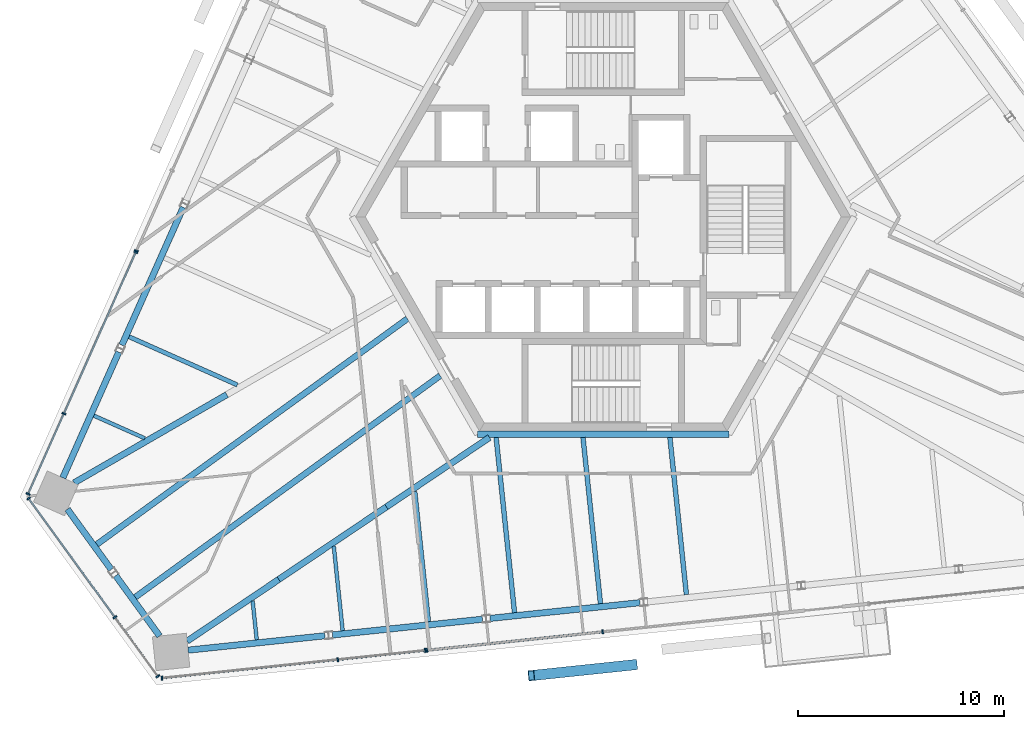
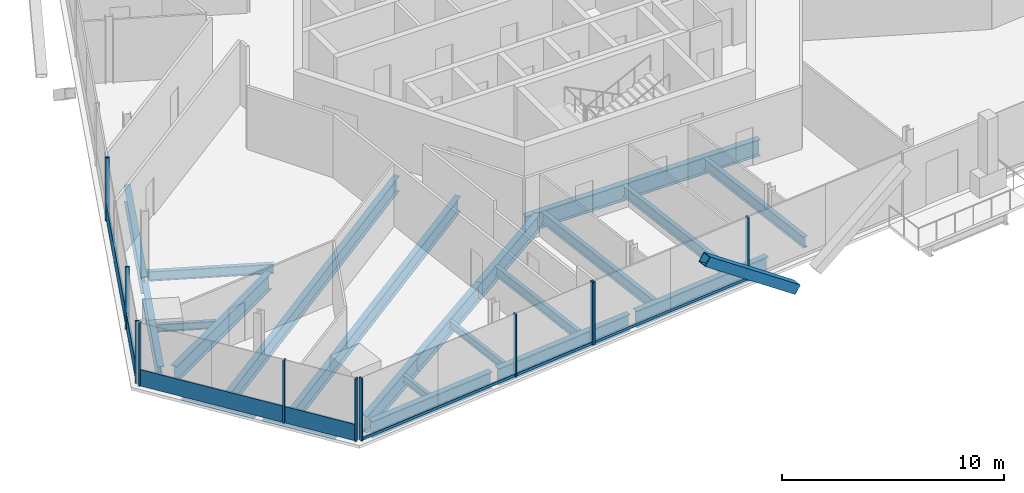
# One storey, part 4 of 18: 22 beams, 20 members, 5 elements without a shape of their own.
"""IFC4 building model written with IfcOpenShell, lengths in metres."""

from ifc_helpers import new_model, si_unit, direction, frame, origin, origin_2d, place, context, subcontext, project, spatial, rectangle, hollow_rectangle, i_section, extrude, source, transform, mapped, material, material_profile, profile_set, type_object, element, aggregate, save


model = new_model("IFC4")

# Units and contexts
model_context = context("Model", 3, precision=1e-05, world=origin(), true_north=direction((0.0, 1.0)))
body_context = subcontext(model_context, "Body", "Model", "MODEL_VIEW")
ifc_project = project(units=[si_unit("LENGTHUNIT", "METRE"), si_unit("AREAUNIT", "SQUARE_METRE"), si_unit("VOLUMEUNIT", "CUBIC_METRE"), si_unit("PLANEANGLEUNIT", "RADIAN"), si_unit("MASSUNIT", "GRAM", prefix="KILO")], contexts=[model_context])

# Site, building, storey
site_placement = place(None, origin())
site = spatial("IfcSite", under=ifc_project, at=site_placement, CompositionType="ELEMENT")
building_placement = place(site_placement, origin())
building = spatial("IfcBuilding", under=site, at=building_placement, Name="Triune Harvest Tower", CompositionType="ELEMENT")
storey_placement = place(building_placement, frame((0.0, 0.0, 237.699951171875)))
storey = spatial("IfcBuildingStorey", under=building, at=storey_placement, Name="L62", CompositionType="ELEMENT", Elevation=237.699951171875)

# Beams
ifc_material_1 = material(Name="Steel ASTM A992 Gr 50", Category="steel")
ifc_material_profile_1 = material_profile(ifc_material_1, i_section(OverallWidth=0.3046875, OverallDepth=0.914306640625, WebThickness=0.0166015625, FlangeThickness=0.02587890625, at=origin_2d()), Name="W36x160")
ifc_profile_set_1 = profile_set([ifc_material_profile_1], Name="Steel ASTM A992 Gr 50")
beam_type_1 = type_object("IfcBeamType", Name="CG-1 Core ring girder W36x160", PredefinedType="BEAM", material=ifc_profile_set_1)
shared_shape_1 = source(origin(), body_context, "Body", "SweptSolid", [
    extrude(i_section(OverallWidth=0.3046875, OverallDepth=0.914306640625, WebThickness=0.0166015625, FlangeThickness=0.02587890625, at=origin_2d()), origin(), (0.0, 0.0, 1.0), 12.17578125),
])
beam_1_placement = place(storey_placement, frame((-6.087890625, -10.544677734375, -0.6171875), z_axis=(1.0, 0.0, 0.0), x_axis=(0.0, 1.0, 0.0)))
element("IfcBeam", 1, at=beam_1_placement, inside=storey, type_object=beam_type_1, Name="beam/L62/CG5", PredefinedType="BEAM", context=body_context, shape_type="MappedRepresentation", body=[
    mapped(shared_shape_1, transform((0.0, 0.0, 0.0), scale=1.0)),
])
ifc_material_2 = material(Name="Steel ASTM A992 Gr 50", Category="steel")
ifc_material_profile_2 = material_profile(ifc_material_2, i_section(OverallWidth=0.3046875, OverallDepth=0.914306640625, WebThickness=0.0166015625, FlangeThickness=0.02587890625, at=origin_2d()), Name="W36x160")
ifc_profile_set_2 = profile_set([ifc_material_profile_2], Name="Steel ASTM A992 Gr 50")
beam_type_2 = type_object("IfcBeamType", Name="HG-3 Hip girder W36x160", PredefinedType="BEAM", material=ifc_profile_set_2)
shared_shape_2 = source(origin(), body_context, "Body", "SweptSolid", [
    extrude(i_section(OverallWidth=0.3046875, OverallDepth=0.914306640625, WebThickness=0.0166015625, FlangeThickness=0.02587890625, at=origin_2d()), origin(), (0.0, 0.0, 1.0), 6.293701171875),
])
beam_2_placement = place(storey_placement, frame((-15.72802734375, -17.576904296875, -0.6171875), z_axis=(0.829391075311, 0.558668456416, 0.0), x_axis=(-0.558668456416, 0.829391075311, 0.0)))
element("IfcBeam", 2, at=beam_2_placement, inside=storey, type_object=beam_type_2, Name="beam/L62/HG8", PredefinedType="BEAM", context=body_context, shape_type="MappedRepresentation", body=[
    mapped(shared_shape_2, transform((0.0, 0.0, 0.0), scale=1.0)),
])
shared_shape_3 = source(origin(), body_context, "Body", "SweptSolid", [
    extrude(i_section(OverallWidth=0.3046875, OverallDepth=0.914306640625, WebThickness=0.0166015625, FlangeThickness=0.02587890625, at=origin_2d()), origin(), (0.0, 0.0, 1.0), 6.02099609375),
])
beam_3_placement = place(storey_placement, frame((-10.508056640625, -14.060791015625, -0.6171875), z_axis=(0.829383245618, 0.558680080088, 0.0), x_axis=(-0.558680080088, 0.829383245618, 0.0)))
element("IfcBeam", 3, at=beam_3_placement, inside=storey, type_object=beam_type_2, Name="beam/L62/HG9", PredefinedType="BEAM", context=body_context, shape_type="MappedRepresentation", body=[
    mapped(shared_shape_3, transform((0.0, 0.0, 0.0), scale=1.0)),
])
ifc_material_3 = material(Name="Steel ASTM A992 Gr 50", Category="steel")
ifc_material_profile_3 = material_profile(ifc_material_3, i_section(OverallWidth=0.3046875, OverallDepth=0.914306640625, WebThickness=0.0166015625, FlangeThickness=0.02587890625, at=origin_2d()), Name="W36x160")
ifc_profile_set_3 = profile_set([ifc_material_profile_3], Name="Steel ASTM A992 Gr 50")
beam_type_3 = type_object("IfcBeamType", Name="SB-1 Spandrel beam W36x160", PredefinedType="SPANDREL", material=ifc_profile_set_3)
shared_shape_4 = source(origin(), body_context, "Body", "SweptSolid", [
    extrude(i_section(OverallWidth=0.3046875, OverallDepth=0.914306640625, WebThickness=0.0166015625, FlangeThickness=0.02587890625, at=origin_2d()), origin(), (0.0, 0.0, 1.0), 6.67041015625),
])
beam_4_placement = place(storey_placement, frame((-20.127685546875, -21.007080078125, -0.6171875), z_axis=(0.994521485501, 0.104532362822, 0.0), x_axis=(-0.104532362822, 0.994521485501, 0.0)))
element("IfcBeam", 4, at=beam_4_placement, inside=storey, type_object=beam_type_3, Name="beam/L62/SB17", PredefinedType="SPANDREL", context=body_context, shape_type="MappedRepresentation", body=[
    mapped(shared_shape_4, transform((0.0, 0.0, 0.0), scale=1.0)),
])
shared_shape_5 = source(origin(), body_context, "Body", "SweptSolid", [
    extrude(i_section(OverallWidth=0.3046875, OverallDepth=0.914306640625, WebThickness=0.0166015625, FlangeThickness=0.02587890625, at=origin_2d()), origin(), (0.0, 0.0, 1.0), 7.31103515625),
])
beam_5_placement = place(storey_placement, frame((-13.127685546875, -20.271240234375, -0.6171875), z_axis=(0.994522639393, 0.104521384101, 0.0), x_axis=(-0.104521384101, 0.994522639393, 0.0)))
element("IfcBeam", 5, at=beam_5_placement, inside=storey, type_object=beam_type_3, Name="beam/L62/SB18", PredefinedType="SPANDREL", context=body_context, shape_type="MappedRepresentation", body=[
    mapped(shared_shape_5, transform((0.0, 0.0, 0.0), scale=1.0)),
])
shared_shape_6 = source(origin(), body_context, "Body", "SweptSolid", [
    extrude(i_section(OverallWidth=0.3046875, OverallDepth=0.914306640625, WebThickness=0.0166015625, FlangeThickness=0.02587890625, at=origin_2d()), origin(), (0.0, 0.0, 1.0), 3.614990234375),
])
for number, where, z_axis, x_axis, name in (
    (6, (-25.974365234375, -14.175537109375, -0.6171875), (0.587818273033, -0.808993002373, 0.0), (0.808993002373, 0.587818273033, 0.0), "beam/L62/SB15"),
    (7, (-23.633056640625, -17.39794921875, -0.6171875), (0.587818273033, -0.808993002373, 0.0), (0.808993002373, 0.587818273033, 0.0), "beam/L62/SB16"),
):
    element("IfcBeam", number, at=place(storey_placement, frame(where, z_axis=z_axis, x_axis=x_axis)), inside=storey, type_object=beam_type_3, Name=name, PredefinedType="SPANDREL", context=body_context, shape_type="MappedRepresentation", body=[
        mapped(shared_shape_6, transform((0.0, 0.0, 0.0), scale=1.0)),
    ])
shared_shape_7 = source(origin(), body_context, "Body", "SweptSolid", [
    extrude(i_section(OverallWidth=0.3046875, OverallDepth=0.914306640625, WebThickness=0.0166015625, FlangeThickness=0.02587890625, at=origin_2d()), origin(), (0.0, 0.0, 1.0), 6.670166015625),
])
beam_6_placement = place(storey_placement, frame((-23.485595703125, -6.5576171875, -0.6171875), z_axis=(-0.406722507275, -0.913551751176, 0.0), x_axis=(0.913551751176, -0.406722507275, 0.0)))
element("IfcBeam", 8, at=beam_6_placement, inside=storey, type_object=beam_type_3, Name="beam/L62/SB14", PredefinedType="SPANDREL", context=body_context, shape_type="MappedRepresentation", body=[
    mapped(shared_shape_7, transform((0.0, 0.0, 0.0), scale=1.0)),
])
shared_shape_8 = source(origin(), body_context, "Body", "SweptSolid", [
    extrude(i_section(OverallWidth=0.3046875, OverallDepth=0.914306640625, WebThickness=0.0166015625, FlangeThickness=0.02587890625, at=origin_2d()), origin(), (0.0, 0.0, 1.0), 7.311279296875),
])
for number, where, z_axis, x_axis, name in (
    (9, (-20.362060546875, 0.4580078125, -0.6171875), (-0.406720859208, -0.91355248491, 0.0), (0.91355248491, -0.406720859208, 0.0), "beam/L62/SB13"),
    (10, (-5.490478515625, -19.468505859375, -0.6171875), (0.994519532674, 0.104550940362, 0.0), (-0.104550940362, 0.994519532674, 0.0), "beam/L62/SB19"),
):
    element("IfcBeam", number, at=place(storey_placement, frame(where, z_axis=z_axis, x_axis=x_axis)), inside=storey, type_object=beam_type_3, Name=name, PredefinedType="SPANDREL", context=body_context, shape_type="MappedRepresentation", body=[
        mapped(shared_shape_8, transform((0.0, 0.0, 0.0), scale=1.0)),
    ])
shared_shape_9 = source(origin(), body_context, "Body", "SweptSolid", [
    extrude(i_section(OverallWidth=0.3046875, OverallDepth=0.914306640625, WebThickness=0.0166015625, FlangeThickness=0.02587890625, at=origin_2d()), origin(), (0.0, 0.0, 1.0), 8.548583984375),
])
beam_7_placement = place(storey_placement, frame((-25.651123046875, -12.89501953125, -0.6171875), z_axis=(0.866020080793, 0.500009219579, 0.0), x_axis=(-0.500009219579, 0.866020080793, 0.0)))
element("IfcBeam", 11, at=beam_7_placement, inside=storey, type_object=beam_type_2, Name="beam/L62/HG5", PredefinedType="BEAM", context=body_context, shape_type="MappedRepresentation", body=[
    mapped(shared_shape_9, transform((0.0, 0.0, 0.0), scale=1.0)),
])
shared_shape_10 = source(origin(), body_context, "Body", "SweptSolid", [
    extrude(i_section(OverallWidth=0.3046875, OverallDepth=0.914306640625, WebThickness=0.0166015625, FlangeThickness=0.02587890625, at=origin_2d()), origin(), (0.0, 0.0, 1.0), 5.35986328125),
])
beam_8_placement = place(storey_placement, frame((-20.173583984375, -20.5712890625, -0.6171875), z_axis=(0.829399024376, 0.558656655169, 0.0), x_axis=(-0.558656655169, 0.829399024376, 0.0)))
element("IfcBeam", 12, at=beam_8_placement, inside=storey, type_object=beam_type_2, Name="beam/L62/HG7", PredefinedType="BEAM", context=body_context, shape_type="MappedRepresentation", body=[
    mapped(shared_shape_10, transform((0.0, 0.0, 0.0), scale=1.0)),
])
ifc_material_4 = material(Name="Steel ASTM A992 Gr 50", Category="steel")
ifc_material_profile_4 = material_profile(ifc_material_4, i_section(OverallWidth=0.2099609375, OverallDepth=0.535888671875, WebThickness=0.010986328125, FlangeThickness=0.017333984375, at=origin_2d()), Name="W21x68")
ifc_profile_set_4 = profile_set([ifc_material_profile_4], Name="Steel ASTM A992 Gr 50")
beam_type_4 = type_object("IfcBeamType", Name="JT-2 Floor joist W21x68", PredefinedType="JOIST", material=ifc_profile_set_4)
shared_shape_11 = source(origin(), body_context, "Body", "SweptSolid", [
    extrude(i_section(OverallWidth=0.2099609375, OverallDepth=0.535888671875, WebThickness=0.010986328125, FlangeThickness=0.017333984375, at=origin_2d()), origin(), (0.0, 0.0, 1.0), 6.346435546875),
])
beam_9_placement = place(storey_placement, frame((-8.466552734375, -19.628173828125, -0.427978515625), z_axis=(-0.104518578592, 0.99452293424, 0.0), x_axis=(-0.99452293424, -0.104518578592, 0.0)))
element("IfcBeam", 13, at=beam_9_placement, inside=storey, type_object=beam_type_4, Name="beam/L62/JT27", PredefinedType="JOIST", context=body_context, shape_type="MappedRepresentation", body=[
    mapped(shared_shape_11, transform((0.0, 0.0, 0.0), scale=1.0)),
])
ifc_material_5 = material(Name="Steel ASTM A992 Gr 50", Category="steel")
ifc_material_profile_5 = material_profile(ifc_material_5, i_section(OverallWidth=0.22900390625, OverallDepth=0.612060546875, WebThickness=0.011962890625, FlangeThickness=0.01953125, at=origin_2d()), Name="W24x84")
ifc_profile_set_5 = profile_set([ifc_material_profile_5], Name="Steel ASTM A992 Gr 50")
beam_type_5 = type_object("IfcBeamType", Name="JT-3 Floor joist W24x84", PredefinedType="JOIST", material=ifc_profile_set_5)
shared_shape_12 = source(origin(), body_context, "Body", "SweptSolid", [
    extrude(i_section(OverallWidth=0.22900390625, OverallDepth=0.612060546875, WebThickness=0.011962890625, FlangeThickness=0.01953125, at=origin_2d()), origin(), (0.0, 0.0, 1.0), 8.099609375),
])
beam_10_placement = place(storey_placement, frame((-0.135009765625, -18.752197265625, -0.466064453125), z_axis=(-0.104534153452, 0.994521297289, 0.0), x_axis=(-0.994521297289, -0.104534153452, 0.0)))
element("IfcBeam", 14, at=beam_10_placement, inside=storey, type_object=beam_type_5, Name="beam/L62/JT29", PredefinedType="JOIST", context=body_context, shape_type="MappedRepresentation", body=[
    mapped(shared_shape_12, transform((0.0, 0.0, 0.0), scale=1.0)),
])
shared_shape_13 = source(origin(), body_context, "Body", "SweptSolid", [
    extrude(i_section(OverallWidth=0.22900390625, OverallDepth=0.612060546875, WebThickness=0.011962890625, FlangeThickness=0.01953125, at=origin_2d()), origin(), (0.0, 0.0, 1.0), 7.659423828125),
])
beam_11_placement = place(storey_placement, frame((4.031005859375, -18.314453125, -0.466064453125), z_axis=(-0.104548726976, 0.994519765358, 0.0), x_axis=(-0.994519765358, -0.104548726976, 0.0)))
element("IfcBeam", 15, at=beam_11_placement, inside=storey, type_object=beam_type_5, Name="beam/L62/JT30", PredefinedType="JOIST", context=body_context, shape_type="MappedRepresentation", body=[
    mapped(shared_shape_13, transform((0.0, 0.0, 0.0), scale=1.0)),
])
shared_shape_14 = source(origin(), body_context, "Body", "SweptSolid", [
    extrude(i_section(OverallWidth=0.2099609375, OverallDepth=0.535888671875, WebThickness=0.010986328125, FlangeThickness=0.017333984375, at=origin_2d()), origin(), (0.0, 0.0, 1.0), 5.745849609375),
])
beam_12_placement = place(storey_placement, frame((-22.987548828125, -5.8134765625, -0.427978515625), z_axis=(0.913552037091, -0.406721865071, 0.0), x_axis=(0.406721865071, 0.913552037091, 0.0)))
element("IfcBeam", 16, at=beam_12_placement, inside=storey, type_object=beam_type_4, Name="beam/L62/JT21", PredefinedType="JOIST", context=body_context, shape_type="MappedRepresentation", body=[
    mapped(shared_shape_14, transform((0.0, 0.0, 0.0), scale=1.0)),
])
ifc_material_6 = material(Name="Steel ASTM A992 Gr 50", Category="steel")
ifc_material_profile_6 = material_profile(ifc_material_6, i_section(OverallWidth=0.2919921875, OverallDepth=0.8408203125, WebThickness=0.0146484375, FlangeThickness=0.021728515625, at=origin_2d()), Name="W33x130")
ifc_profile_set_6 = profile_set([ifc_material_profile_6], Name="Steel ASTM A992 Gr 50")
beam_type_6 = type_object("IfcBeamType", Name="JT-6 Floor joist W33x130", PredefinedType="JOIST", material=ifc_profile_set_6)
shared_shape_15 = source(origin(), body_context, "Body", "SweptSolid", [
    extrude(i_section(OverallWidth=0.2919921875, OverallDepth=0.8408203125, WebThickness=0.0146484375, FlangeThickness=0.021728515625, at=origin_2d()), origin(), (0.0, 0.0, 1.0), 18.27099609375),
])
beam_13_placement = place(storey_placement, frame((-22.68701171875, -18.44091796875, -0.580322265625), z_axis=(0.809013927609, 0.587789473311, 0.0), x_axis=(-0.587789473311, 0.809013927609, 0.0)))
element("IfcBeam", 17, at=beam_13_placement, inside=storey, type_object=beam_type_6, Name="beam/L62/JT24", PredefinedType="JOIST", context=body_context, shape_type="MappedRepresentation", body=[
    mapped(shared_shape_15, transform((0.0, 0.0, 0.0), scale=1.0)),
])
ifc_material_7 = material(Name="Steel ASTM A992 Gr 50", Category="steel")
ifc_material_profile_7 = material_profile(ifc_material_7, i_section(OverallWidth=0.180908203125, OverallDepth=0.41650390625, WebThickness=0.010986328125, FlangeThickness=0.01806640625, at=origin_2d()), Name="W16x57")
ifc_profile_set_7 = profile_set([ifc_material_profile_7], Name="Steel ASTM A992 Gr 50")
beam_type_7 = type_object("IfcBeamType", Name="JT-1 Floor joist W16x57", PredefinedType="JOIST", material=ifc_profile_set_7)
shared_shape_16 = source(origin(), body_context, "Body", "SweptSolid", [
    extrude(i_section(OverallWidth=0.180908203125, OverallDepth=0.41650390625, WebThickness=0.010986328125, FlangeThickness=0.01806640625, at=origin_2d()), origin(), (0.0, 0.0, 1.0), 1.899169921875),
])
beam_14_placement = place(storey_placement, frame((-16.79833984375, -20.50390625, -0.3681640625), z_axis=(-0.104517481806, 0.994523049505, 0.0), x_axis=(-0.994523049505, -0.104517481806, 0.0)))
element("IfcBeam", 18, at=beam_14_placement, inside=storey, type_object=beam_type_7, Name="beam/L62/JT25", PredefinedType="JOIST", context=body_context, shape_type="MappedRepresentation", body=[
    mapped(shared_shape_16, transform((0.0, 0.0, 0.0), scale=1.0)),
])
shared_shape_17 = source(origin(), body_context, "Body", "SweptSolid", [
    extrude(i_section(OverallWidth=0.180908203125, OverallDepth=0.41650390625, WebThickness=0.010986328125, FlangeThickness=0.01806640625, at=origin_2d()), origin(), (0.0, 0.0, 1.0), 4.12255859375),
])
beam_15_placement = place(storey_placement, frame((-12.632568359375, -20.06591796875, -0.3681640625), z_axis=(-0.104521403768, 0.994522637326, 0.0), x_axis=(-0.994522637326, -0.104521403768, 0.0)))
element("IfcBeam", 19, at=beam_15_placement, inside=storey, type_object=beam_type_7, Name="beam/L62/JT26", PredefinedType="JOIST", context=body_context, shape_type="MappedRepresentation", body=[
    mapped(shared_shape_17, transform((0.0, 0.0, 0.0), scale=1.0)),
])
shared_shape_18 = source(origin(), body_context, "Body", "SweptSolid", [
    extrude(i_section(OverallWidth=0.180908203125, OverallDepth=0.41650390625, WebThickness=0.010986328125, FlangeThickness=0.01806640625, at=origin_2d()), origin(), (0.0, 0.0, 1.0), 2.702392578125),
])
beam_16_placement = place(storey_placement, frame((-24.691162109375, -9.64013671875, -0.3681640625), z_axis=(0.913550575703, -0.406725147529, 0.0), x_axis=(0.406725147529, 0.913550575703, 0.0)))
element("IfcBeam", 20, at=beam_16_placement, inside=storey, type_object=beam_type_7, Name="beam/L62/JT22", PredefinedType="JOIST", context=body_context, shape_type="MappedRepresentation", body=[
    mapped(shared_shape_18, transform((0.0, 0.0, 0.0), scale=1.0)),
])
shared_shape_19 = source(origin(), body_context, "Body", "SweptSolid", [
    extrude(i_section(OverallWidth=0.2919921875, OverallDepth=0.8408203125, WebThickness=0.0146484375, FlangeThickness=0.021728515625, at=origin_2d()), origin(), (0.0, 0.0, 1.0), 18.603515625),
])
beam_17_placement = place(storey_placement, frame((-24.548828125, -15.8779296875, -0.580322265625), z_axis=(0.809011797406, 0.58779240524, 0.0), x_axis=(-0.58779240524, 0.809011797406, 0.0)))
element("IfcBeam", 21, at=beam_17_placement, inside=storey, type_object=beam_type_6, Name="beam/L62/JT23", PredefinedType="JOIST", context=body_context, shape_type="MappedRepresentation", body=[
    mapped(shared_shape_19, transform((0.0, 0.0, 0.0), scale=1.0)),
])
shared_shape_20 = source(origin(), body_context, "Body", "SweptSolid", [
    extrude(i_section(OverallWidth=0.22900390625, OverallDepth=0.612060546875, WebThickness=0.011962890625, FlangeThickness=0.01953125, at=origin_2d()), origin(), (0.0, 0.0, 1.0), 8.5400390625),
])
beam_18_placement = place(storey_placement, frame((-4.30078125, -19.190185546875, -0.466064453125), z_axis=(-0.104546386162, 0.994520011433, 0.0), x_axis=(-0.994520011433, -0.104546386162, 0.0)))
element("IfcBeam", 22, at=beam_18_placement, inside=storey, type_object=beam_type_5, Name="beam/L62/JT28", PredefinedType="JOIST", context=body_context, shape_type="MappedRepresentation", body=[
    mapped(shared_shape_20, transform((0.0, 0.0, 0.0), scale=1.0)),
])

# Member
ifc_material_8 = material(Name="Steel ASTM A572 Gr 50", Category="steel")
ifc_material_profile_8 = material_profile(ifc_material_8, hollow_rectangle(XDim=0.5, YDim=0.5, WallThickness=0.030029296875, at=origin_2d()), Name="Box 500x500x30")
ifc_profile_set_8 = profile_set([ifc_material_profile_8], Name="Steel ASTM A572 Gr 50")
member_type_1 = type_object("IfcMemberType", Name="BR-3 Brace Box 500x500x30", PredefinedType="BRACE", material=ifc_profile_set_8)
shared_shape_21 = source(origin(), body_context, "Body", "SweptSolid", [
    extrude(hollow_rectangle(XDim=0.5, YDim=0.5, WallThickness=0.030029296875, at=origin_2d()), origin(), (0.0, 0.0, 1.0), 6.171142578125),
])
member_1_placement = place(storey_placement, frame((1.49609375, -21.716064453125, 0.0), z_axis=(-0.807744891482, -0.084900844253, 0.58338669588), x_axis=(0.104532646515, -0.994521455682, 0.0)))
element("IfcMember", 23, at=member_1_placement, inside=storey, type_object=member_type_1, Name="brace/B6-F5/d2/6", PredefinedType="BRACE", context=body_context, shape_type="MappedRepresentation", body=[
    mapped(shared_shape_21, transform((0.0, 0.0, 0.0), scale=1.0)),
])

# Curtain wall, member
ifc_material_9 = material(Name="Aluminium bronze anodised", Category="aluminium")
curtain_wall_type_1 = type_object("IfcCurtainWallType", Name="CW-7 Tower stick curtain wall with insulated spandrel infill", PredefinedType="NOTDEFINED", material=ifc_material_9)
curtain_wall_1_placement = place(storey_placement, origin())
curtain_wall_1 = element("IfcCurtainWall", 24, at=curtain_wall_1_placement, inside=storey, type_object=curtain_wall_type_1, Name="CW-7 B6-F3 L62 run 1001")
ifc_material_10 = material(Name="Aluminium bronze anodised", Category="aluminium")
ifc_material_profile_9 = material_profile(ifc_material_10, rectangle(XDim=0.199951171875, YDim=0.074951171875, at=origin_2d()), Name="MU-1 mullion 75 x 200")
ifc_profile_set_9 = profile_set([ifc_material_profile_9], Name="Aluminium bronze anodised")
member_type_2 = type_object("IfcMemberType", Name="MU-1 mullion 75 x 200", PredefinedType="MULLION", material=ifc_profile_set_9)
shared_shape_22 = source(origin(), body_context, "Body", "SweptSolid", [
    extrude(rectangle(XDim=0.199951171875, YDim=0.074951171875, at=origin_2d()), origin(), (0.0, 0.0, 1.0), 3.43994140625),
])
member_2_placement = place(storey_placement, frame((-22.63134765625, -1.650146484375, 0.0), z_axis=(0.0, 0.0, 1.0), x_axis=(0.913543213981, -0.406741682385, 0.0)))
member_2 = element("IfcMember", 25, at=member_2_placement, type_object=member_type_2, Name="CW-7 mullion B6-F3 1001.6", PredefinedType="MULLION", context=body_context, shape_type="MappedRepresentation", body=[
    mapped(shared_shape_22, transform((0.0, 0.0, 0.0), scale=1.0)),
])
aggregate(curtain_wall_1, [member_2])

# Curtain wall, members
ifc_material_11 = material(Name="Aluminium bronze anodised", Category="aluminium")
curtain_wall_type_2 = type_object("IfcCurtainWallType", Name="CW-1 Tower stick curtain wall", PredefinedType="NOTDEFINED", material=ifc_material_11)
curtain_wall_2_placement = place(storey_placement, origin())
curtain_wall_2 = element("IfcCurtainWall", 26, at=curtain_wall_2_placement, inside=storey, type_object=curtain_wall_type_2, Name="CW-1 B6-F3 L62 run 2001")
member_3_placement = place(storey_placement, frame((-22.661865234375, -1.71875, 0.0), z_axis=(0.0, 0.0, 1.0), x_axis=(0.913546291384, -0.406734770456, 0.0)))
member_3 = element("IfcMember", 27, at=member_3_placement, type_object=member_type_2, Name="CW-1 mullion B6-F3 2001.1", PredefinedType="MULLION", context=body_context, shape_type="MappedRepresentation", body=[
    mapped(shared_shape_22, transform((0.0, 0.0, 0.0), scale=1.0)),
])
member_4_placement = place(storey_placement, frame((-26.14453125, -9.541015625, 0.0), z_axis=(0.0, 0.0, 1.0), x_axis=(0.913546291384, -0.406734770456, 0.0)))
member_4 = element("IfcMember", 28, at=member_4_placement, type_object=member_type_2, Name="CW-1 mullion B6-F3 2001.3", PredefinedType="MULLION", context=body_context, shape_type="MappedRepresentation", body=[
    mapped(shared_shape_22, transform((0.0, 0.0, 0.0), scale=1.0)),
])
member_5_placement = place(storey_placement, frame((-27.878173828125, -13.43505859375, 0.0), z_axis=(0.0, 0.0, 1.0), x_axis=(0.913546291384, -0.406734770456, 0.0)))
member_5 = element("IfcMember", 29, at=member_5_placement, type_object=member_type_2, Name="CW-1 mullion B6-F3 2001.4", PredefinedType="MULLION", context=body_context, shape_type="MappedRepresentation", body=[
    mapped(shared_shape_22, transform((0.0, 0.0, 0.0), scale=1.0)),
])

curtain_wall_3_placement = place(storey_placement, origin())
curtain_wall_3 = element("IfcCurtainWall", 30, at=curtain_wall_3_placement, inside=storey, type_object=curtain_wall_type_2, Name="CW-1 B6-F4 L62 run 1")
member_6_placement = place(storey_placement, frame((-27.855224609375, -13.654541015625, 0.0), z_axis=(0.0, 0.0, 1.0), x_axis=(0.809014317982, 0.587788936013, 0.0)))
member_6 = element("IfcMember", 31, at=member_6_placement, type_object=member_type_2, Name="CW-1 mullion B6-F4 1.1", PredefinedType="MULLION", context=body_context, shape_type="MappedRepresentation", body=[
    mapped(shared_shape_22, transform((0.0, 0.0, 0.0), scale=1.0)),
])
member_7_placement = place(storey_placement, frame((-23.673828125, -19.409912109375, 0.0), z_axis=(0.0, 0.0, 1.0), x_axis=(0.809014317982, 0.587788936013, 0.0)))
member_7 = element("IfcMember", 32, at=member_7_placement, type_object=member_type_2, Name="CW-1 mullion B6-F4 1.3", PredefinedType="MULLION", context=body_context, shape_type="MappedRepresentation", body=[
    mapped(shared_shape_22, transform((0.0, 0.0, 0.0), scale=1.0)),
])
member_8_placement = place(storey_placement, frame((-21.593994140625, -22.272216796875, 0.0), z_axis=(0.0, 0.0, 1.0), x_axis=(0.809014317982, 0.587788936013, 0.0)))
member_8 = element("IfcMember", 33, at=member_8_placement, type_object=member_type_2, Name="CW-1 mullion B6-F4 1.4", PredefinedType="MULLION", context=body_context, shape_type="MappedRepresentation", body=[
    mapped(shared_shape_22, transform((0.0, 0.0, 0.0), scale=1.0)),
])

ifc_material_12 = material(Name="Aluminium bronze anodised", Category="aluminium")
curtain_wall_type_3 = type_object("IfcCurtainWallType", Name="CW-6 Balcony window wall", PredefinedType="NOTDEFINED", material=ifc_material_12)
curtain_wall_4_placement = place(storey_placement, origin())
curtain_wall_4 = element("IfcCurtainWall", 34, at=curtain_wall_4_placement, inside=storey, type_object=curtain_wall_type_3, Name="CW-6 B6-F5 L62 run 1")
ifc_material_13 = material(Name="Aluminium bronze anodised", Category="aluminium")
ifc_material_profile_10 = material_profile(ifc_material_13, rectangle(XDim=0.199951171875, YDim=0.074951171875, at=origin_2d()), Name="MU-6 mullion 75 x 200")
ifc_profile_set_10 = profile_set([ifc_material_profile_10], Name="Aluminium bronze anodised")
member_type_3 = type_object("IfcMemberType", Name="MU-6 mullion 75 x 200", PredefinedType="MULLION", material=ifc_profile_set_10)
shared_shape_23 = source(origin(), body_context, "Body", "SweptSolid", [
    extrude(rectangle(XDim=0.199951171875, YDim=0.074951171875, at=origin_2d()), origin(), (0.0, 0.0, 1.0), 3.43994140625),
])
member_9_placement = place(storey_placement, frame((-21.392333984375, -22.362060546875, 0.0), z_axis=(0.0, 0.0, 1.0), x_axis=(-0.104525795166, 0.994522175793, 0.0)))
member_9 = element("IfcMember", 35, at=member_9_placement, type_object=member_type_3, Name="CW-6 mullion B6-F5 1.1", PredefinedType="MULLION", context=body_context, shape_type="MappedRepresentation", body=[
    mapped(shared_shape_23, transform((0.0, 0.0, 0.0), scale=1.0)),
])
member_10_placement = place(storey_placement, frame((-12.86962890625, -21.46630859375, 0.0), z_axis=(0.0, 0.0, 1.0), x_axis=(-0.104525795166, 0.994522175793, 0.0)))
member_10 = element("IfcMember", 36, at=member_10_placement, type_object=member_type_3, Name="CW-6 mullion B6-F5 1.3", PredefinedType="MULLION", context=body_context, shape_type="MappedRepresentation", body=[
    mapped(shared_shape_23, transform((0.0, 0.0, 0.0), scale=1.0)),
])
member_11_placement = place(storey_placement, frame((-8.626953125, -21.0205078125, 0.0), z_axis=(0.0, 0.0, 1.0), x_axis=(-0.104525795166, 0.994522175793, 0.0)))
member_11 = element("IfcMember", 37, at=member_11_placement, type_object=member_type_3, Name="CW-6 mullion B6-F5 1.4", PredefinedType="MULLION", context=body_context, shape_type="MappedRepresentation", body=[
    mapped(shared_shape_23, transform((0.0, 0.0, 0.0), scale=1.0)),
])

ifc_material_14 = material(Name="Aluminium bronze anodised", Category="aluminium")
curtain_wall_type_4 = type_object("IfcCurtainWallType", Name="CW-10 Balcony window wall with insulated spandrel infill", PredefinedType="NOTDEFINED", material=ifc_material_14)
curtain_wall_5_placement = place(storey_placement, origin())
curtain_wall_5 = element("IfcCurtainWall", 38, at=curtain_wall_5_placement, inside=storey, type_object=curtain_wall_type_4, Name="CW-10 B6-F5 L62 run 1001")
member_12_placement = place(storey_placement, frame((-8.552490234375, -21.0126953125, 0.0), z_axis=(0.0, 0.0, 1.0), x_axis=(-0.104532925076, 0.994521426403, 0.0)))
member_12 = element("IfcMember", 39, at=member_12_placement, type_object=member_type_3, Name="CW-10 mullion B6-F5 1001.1", PredefinedType="MULLION", context=body_context, shape_type="MappedRepresentation", body=[
    mapped(shared_shape_23, transform((0.0, 0.0, 0.0), scale=1.0)),
])
member_13_placement = place(storey_placement, frame((-0.02978515625, -20.11669921875, 0.0), z_axis=(0.0, 0.0, 1.0), x_axis=(-0.104532925076, 0.994521426403, 0.0)))
member_13 = element("IfcMember", 40, at=member_13_placement, type_object=member_type_3, Name="CW-10 mullion B6-F5 1001.3", PredefinedType="MULLION", context=body_context, shape_type="MappedRepresentation", body=[
    mapped(shared_shape_23, transform((0.0, 0.0, 0.0), scale=1.0)),
])

# Member
ifc_material_15 = material(Name="Aluminium bronze anodised", Category="aluminium")
ifc_material_profile_11 = material_profile(ifc_material_15, rectangle(XDim=0.090087890625, YDim=0.89990234375, at=origin_2d()), Name="TR-1 transom 90 x 900")
ifc_profile_set_11 = profile_set([ifc_material_profile_11], Name="Aluminium bronze anodised")
member_type_4 = type_object("IfcMemberType", Name="TR-1 transom 90 x 900", PredefinedType="USERDEFINED", material=ifc_profile_set_11)
shared_shape_24 = source(origin(), body_context, "Body", "SweptSolid", [
    extrude(rectangle(XDim=0.090087890625, YDim=0.89990234375, at=origin_2d()), origin(), (0.0, 0.0, 1.0), 7.03857421875),
])
member_14_placement = place(storey_placement, frame((-27.8330078125, -13.68505859375, 0.449951171875), z_axis=(0.587788023707, -0.809014980817, 0.0), x_axis=(0.809014980817, 0.587788023707, 0.0)))
member_14 = element("IfcMember", 41, at=member_14_placement, type_object=member_type_4, Name="CW-1 transom B6-F4 1.1", ObjectType="TRANSOM", PredefinedType="USERDEFINED", context=body_context, shape_type="MappedRepresentation", body=[
    mapped(shared_shape_24, transform((0.0, 0.0, 0.0), scale=1.0)),
])

shared_shape_25 = source(origin(), body_context, "Body", "SweptSolid", [
    extrude(rectangle(XDim=0.090087890625, YDim=0.89990234375, at=origin_2d()), origin(), (0.0, 0.0, 1.0), 3.463134765625),
])
member_15_placement = place(storey_placement, frame((-23.651611328125, -19.440185546875, 0.449951171875), z_axis=(0.58779438563, -0.809010358538, 0.0), x_axis=(0.809010358538, 0.58779438563, 0.0)))
member_15 = element("IfcMember", 42, at=member_15_placement, type_object=member_type_4, Name="CW-1 transom B6-F4 1.2", ObjectType="TRANSOM", PredefinedType="USERDEFINED", context=body_context, shape_type="MappedRepresentation", body=[
    mapped(shared_shape_25, transform((0.0, 0.0, 0.0), scale=1.0)),
])

aggregate(curtain_wall_3, [member_6, member_7, member_8, member_14, member_15])

ifc_material_16 = material(Name="Aluminium bronze anodised", Category="aluminium")
ifc_material_profile_12 = material_profile(ifc_material_16, rectangle(XDim=0.090087890625, YDim=0.14990234375, at=origin_2d()), Name="TR-6 transom 90 x 150")
ifc_profile_set_12 = profile_set([ifc_material_profile_12], Name="Aluminium bronze anodised")
member_type_5 = type_object("IfcMemberType", Name="TR-6 transom 90 x 150", PredefinedType="USERDEFINED", material=ifc_profile_set_12)
shared_shape_26 = source(origin(), body_context, "Body", "SweptSolid", [
    extrude(rectangle(XDim=0.090087890625, YDim=0.14990234375, at=origin_2d()), origin(), (0.0, 0.0, 1.0), 8.49462890625),
])
member_16_placement = place(storey_placement, frame((-21.35498046875, -22.358154296875, 0.074951171875), z_axis=(0.994521661879, 0.104530684746, 0.0), x_axis=(-0.104530684746, 0.994521661879, 0.0)))
member_16 = element("IfcMember", 43, at=member_16_placement, type_object=member_type_5, Name="CW-6 transom B6-F5 1.1", ObjectType="TRANSOM", PredefinedType="USERDEFINED", context=body_context, shape_type="MappedRepresentation", body=[
    mapped(shared_shape_26, transform((0.0, 0.0, 0.0), scale=1.0)),
])

member_17_placement = place(storey_placement, frame((-8.51513671875, -21.008544921875, 0.074951171875), z_axis=(0.994521661879, 0.104530684746, 0.0), x_axis=(-0.104530684746, 0.994521661879, 0.0)))
member_17 = element("IfcMember", 44, at=member_17_placement, type_object=member_type_5, Name="CW-10 transom B6-F5 1001.1", ObjectType="TRANSOM", PredefinedType="USERDEFINED", context=body_context, shape_type="MappedRepresentation", body=[
    mapped(shared_shape_26, transform((0.0, 0.0, 0.0), scale=1.0)),
])

aggregate(curtain_wall_5, [member_12, member_13, member_17])

shared_shape_27 = source(origin(), body_context, "Body", "SweptSolid", [
    extrude(rectangle(XDim=0.090087890625, YDim=0.14990234375, at=origin_2d()), origin(), (0.0, 0.0, 1.0), 4.19091796875),
])
member_18_placement = place(storey_placement, frame((-12.832275390625, -21.46240234375, 0.074951171875), z_axis=(0.994523951186, 0.104508901618, 0.0), x_axis=(-0.104508901618, 0.994523951186, 0.0)))
member_18 = element("IfcMember", 45, at=member_18_placement, type_object=member_type_5, Name="CW-6 transom B6-F5 1.2", ObjectType="TRANSOM", PredefinedType="USERDEFINED", context=body_context, shape_type="MappedRepresentation", body=[
    mapped(shared_shape_27, transform((0.0, 0.0, 0.0), scale=1.0)),
])

aggregate(curtain_wall_4, [member_9, member_10, member_11, member_16, member_18])

shared_shape_28 = source(origin(), body_context, "Body", "SweptSolid", [
    extrude(rectangle(XDim=0.090087890625, YDim=0.89990234375, at=origin_2d()), origin(), (0.0, 0.0, 1.0), 8.48779296875),
])
member_19_placement = place(storey_placement, frame((-22.677001953125, -1.7529296875, 0.449951171875), z_axis=(-0.406749532795, -0.913539718661, 0.0), x_axis=(0.913539718661, -0.406749532795, 0.0)))
member_19 = element("IfcMember", 46, at=member_19_placement, type_object=member_type_4, Name="CW-1 transom B6-F3 2001.1", ObjectType="TRANSOM", PredefinedType="USERDEFINED", context=body_context, shape_type="MappedRepresentation", body=[
    mapped(shared_shape_28, transform((0.0, 0.0, 0.0), scale=1.0)),
])

shared_shape_29 = source(origin(), body_context, "Body", "SweptSolid", [
    extrude(rectangle(XDim=0.090087890625, YDim=0.89990234375, at=origin_2d()), origin(), (0.0, 0.0, 1.0), 4.187744140625),
])
member_20_placement = place(storey_placement, frame((-26.15966796875, -9.5751953125, 0.449951171875), z_axis=(-0.406749609391, -0.913539684557, 0.0), x_axis=(0.913539684557, -0.406749609391, 0.0)))
member_20 = element("IfcMember", 47, at=member_20_placement, type_object=member_type_4, Name="CW-1 transom B6-F3 2001.2", ObjectType="TRANSOM", PredefinedType="USERDEFINED", context=body_context, shape_type="MappedRepresentation", body=[
    mapped(shared_shape_29, transform((0.0, 0.0, 0.0), scale=1.0)),
])

aggregate(curtain_wall_2, [member_3, member_4, member_5, member_19, member_20])

save(model, "model.ifc")
